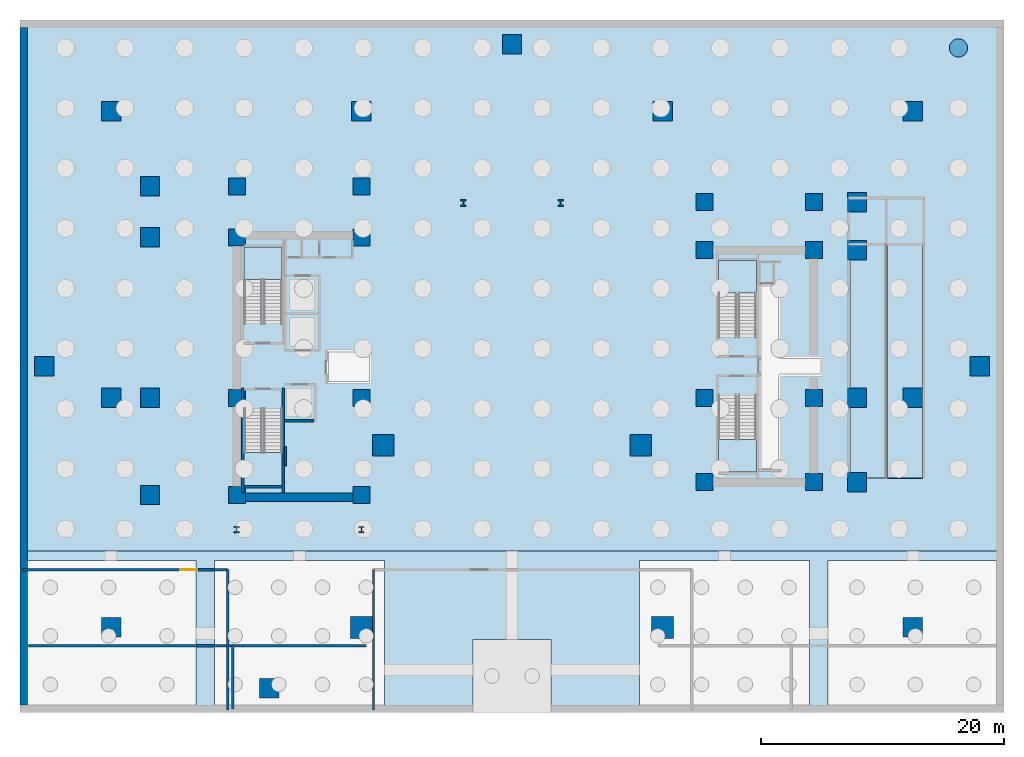
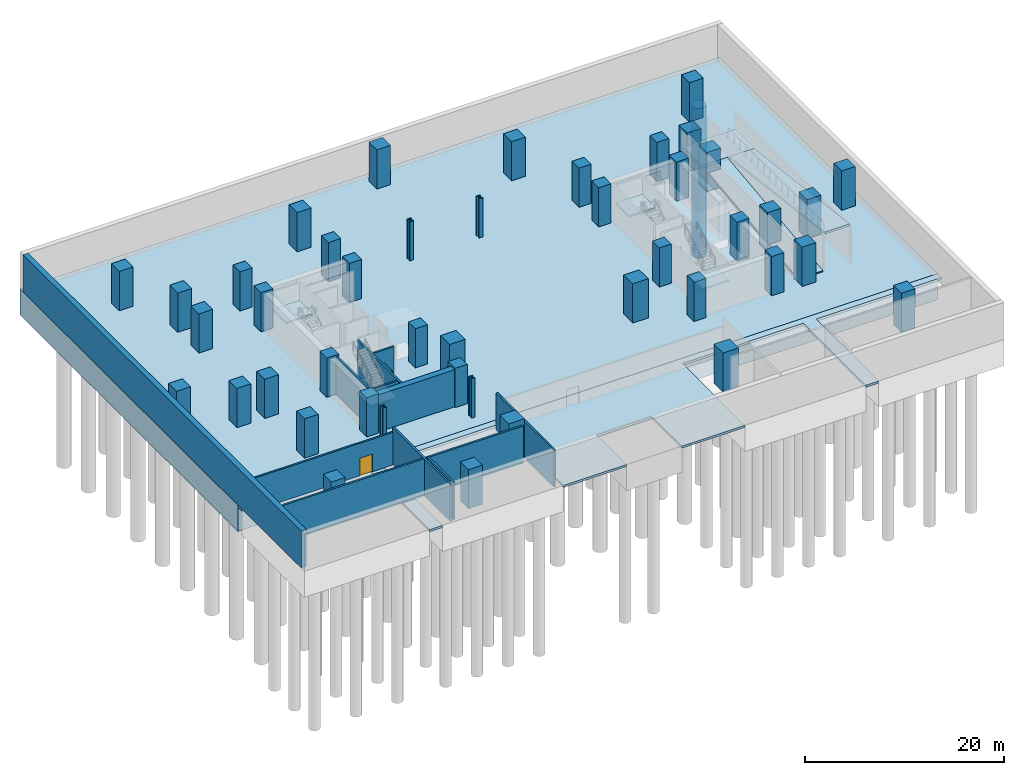
# One storey, part 2 of 10: 44 columns, 12 walls, 9 slabs, 1 door, 1 pile, 1 opening, 4 elements without a shape of their own.
"""IFC4 building model written with IfcOpenShell, lengths in metres."""

import ifcopenshell
import ifcopenshell.guid

model = None  # the IFC model being written
_history = None  # IfcOwnerHistory: only IFC2X3 demands one
_inside = {}  # id of a spatial element -> (the spatial element, [elements in it])
_under = {}  # id of a project, library or spatial element -> (it, [spatial elements below it])
_declared = {}  # id of a project -> (the project, [libraries it declares])
_typed = {}  # id of a type object -> (the type object, [elements of that type])
_made_of = {}  # id of a material, layer set ... -> (it, [elements and type objects made of it])


def new_model(schema):
    """Start an empty IFC model of exactly this schema.

    Asked for "IFC4X3", IfcOpenShell would pick the latest addendum, in which some entities
    have other attributes; the version numbers below select the first issue.
    IFC2X3 requires an IfcOwnerHistory on every rooted entity: one is made here for all.
    """
    global model, _history
    if schema == "IFC4X3":
        model = ifcopenshell.file(schema_version=(4, 3, 0, 0))
    else:
        model = ifcopenshell.file(schema=schema)
    _inside.clear()
    _under.clear()
    _declared.clear()
    _typed.clear()
    _made_of.clear()
    _history = None
    if model.schema == "IFC2X3":
        org = make("IfcOrganization", Name="unknown")
        user = make(
            "IfcPersonAndOrganization",
            ThePerson=make("IfcPerson", FamilyName="unknown"),
            TheOrganization=org,
        )
        app = make(
            "IfcApplication",
            ApplicationDeveloper=org,
            Version="unknown",
            ApplicationFullName="unknown",
            ApplicationIdentifier="unknown",
        )
        _history = make(
            "IfcOwnerHistory",
            OwningUser=user,
            OwningApplication=app,
            ChangeAction="ADDED",
            CreationDate=0,
        )
    return model


def make(cls, **values):
    """One entity of the class cls with the attributes given. An attribute that is None is left unset."""
    return model.create_entity(
        cls, **{name: value for name, value in values.items() if value is not None}
    )


def rooted(cls, **values):
    """An entity with a GlobalId (a new one), such as an element, a storey or a relation."""
    return make(cls, GlobalId=ifcopenshell.guid.new(), OwnerHistory=_history, **values)


def si_unit(unit_type, name, prefix=None):
    """IfcSIUnit, for example si_unit("LENGTHUNIT", "METRE", prefix="MILLI")."""
    return make("IfcSIUnit", UnitType=unit_type, Prefix=prefix, Name=name)


def assignment(units):
    """IfcUnitAssignment: the units of a project."""
    return None if units is None else make("IfcUnitAssignment", Units=units)


def point(xyz):
    """IfcCartesianPoint."""
    return None if xyz is None else make("IfcCartesianPoint", Coordinates=xyz)


def direction(xyz):
    """IfcDirection."""
    return None if xyz is None else make("IfcDirection", DirectionRatios=xyz)


def frame(location, z_axis=None, x_axis=None):
    """IfcAxis2Placement3D, a coordinate frame: its origin and axes. An axis left out is left unset."""
    return make(
        "IfcAxis2Placement3D",
        Location=point(location),
        Axis=direction(z_axis),
        RefDirection=direction(x_axis),
    )


def frame_2d(location, x_axis=None):
    """IfcAxis2Placement2D, a coordinate frame in the plane: its origin and x axis."""
    return make(
        "IfcAxis2Placement2D", Location=point(location), RefDirection=direction(x_axis)
    )


def origin():
    """The frame at (0, 0, 0) with its axes left unset."""
    return frame((0.0, 0.0, 0.0))


def origin_2d():
    """The frame at (0, 0) in the plane with its x axis left unset."""
    return frame_2d((0.0, 0.0))


def place(relative_to, where):
    """IfcLocalPlacement: puts the frame where relative to a parent placement (None: the world)."""
    return make(
        "IfcLocalPlacement", PlacementRelTo=relative_to, RelativePlacement=where
    )


def context(
    kind, dimensions, precision=None, world=None, true_north=None, identifier=None
):
    """IfcGeometricRepresentationContext, for example the 3D "Model" context."""
    return make(
        "IfcGeometricRepresentationContext",
        ContextIdentifier=identifier,
        ContextType=kind,
        CoordinateSpaceDimension=dimensions,
        Precision=precision,
        WorldCoordinateSystem=world,
        TrueNorth=true_north,
    )


def subcontext(parent, identifier, kind, view, scale=None):
    """IfcGeometricRepresentationSubContext, for example "Body" below "Model"."""
    return make(
        "IfcGeometricRepresentationSubContext",
        ContextIdentifier=identifier,
        ContextType=kind,
        ParentContext=parent,
        TargetScale=scale,
        TargetView=view,
    )


def project(units=None, contexts=None):
    """IfcProject with its units and contexts."""
    return rooted(
        "IfcProject",
        Name="project",
        RepresentationContexts=contexts,
        UnitsInContext=assignment(units),
    )


def spatial(cls, under=None, at=None, **own):
    """A site, building, storey or space (cls), placed at a placement, below another one or the project."""
    s = rooted(cls, ObjectPlacement=at, **own)
    if under is not None:
        _under.setdefault(under.id(), (under, []))[1].append(s)
    return s


def polyline(points):
    """IfcPolyline through the points."""
    return make("IfcPolyline", Points=[point(p) for p in points])


def profile(cls, at=None, kind="AREA", **sizes):
    """A parametric profile (cls). Its sizes go by their IFC names, for example OverallWidth=200.0."""
    return make(cls, ProfileType=kind, Position=at, **sizes)


def rectangle(**sizes):
    """IfcRectangleProfileDef."""
    return profile("IfcRectangleProfileDef", **sizes)


def circle(**sizes):
    """IfcCircleProfileDef."""
    return profile("IfcCircleProfileDef", **sizes)


def i_section(**sizes):
    """IfcIShapeProfileDef."""
    return profile("IfcIShapeProfileDef", **sizes)


def outline(outer, holes=None, kind="AREA"):
    """IfcArbitraryClosedProfileDef: a profile drawn as a closed curve; with holes, ...WithVoids."""
    if holes is None:
        return make("IfcArbitraryClosedProfileDef", ProfileType=kind, OuterCurve=outer)
    return make(
        "IfcArbitraryProfileDefWithVoids",
        ProfileType=kind,
        OuterCurve=outer,
        InnerCurves=holes,
    )


def extrude(swept, where, along, depth):
    """IfcExtrudedAreaSolid: the profile swept, set in the frame where, extruded along a direction by depth."""
    return make(
        "IfcExtrudedAreaSolid",
        SweptArea=swept,
        Position=where,
        ExtrudedDirection=direction(along),
        Depth=depth,
    )


def shape(context_of_items, identifier, shape_type, items):
    """IfcShapeRepresentation: the items that make up one representation, for example the "Body"."""
    return make(
        "IfcShapeRepresentation",
        ContextOfItems=context_of_items,
        RepresentationIdentifier=identifier,
        RepresentationType=shape_type,
        Items=items,
    )


def source(mapping_origin, context_of_items, identifier, shape_type, items):
    """IfcRepresentationMap: a shape defined once, which mapped items show again and again."""
    return make(
        "IfcRepresentationMap",
        MappingOrigin=mapping_origin,
        MappedRepresentation=shape(context_of_items, identifier, shape_type, items),
    )


def transform(
    local_origin,
    x_axis=None,
    y_axis=None,
    z_axis=None,
    scale=None,
    scale2=None,
    scale3=None,
    uniform=True,
):
    """IfcCartesianTransformationOperator3D, or its non-uniform kind. x_axis, y_axis, z_axis: its Axis1, 2, 3."""
    if uniform:
        return make(
            "IfcCartesianTransformationOperator3D",
            Axis1=direction(x_axis),
            Axis2=direction(y_axis),
            LocalOrigin=point(local_origin),
            Scale=scale,
            Axis3=direction(z_axis),
        )
    return make(
        "IfcCartesianTransformationOperator3DnonUniform",
        Axis1=direction(x_axis),
        Axis2=direction(y_axis),
        LocalOrigin=point(local_origin),
        Scale=scale,
        Axis3=direction(z_axis),
        Scale2=scale2,
        Scale3=scale3,
    )


def mapped(mapping_source, mapping_target):
    """IfcMappedItem: shows the shape of a source again, moved by a transform."""
    return make(
        "IfcMappedItem", MappingSource=mapping_source, MappingTarget=mapping_target
    )


def material(Name=None, Category=None):
    """IfcMaterial."""
    return make("IfcMaterial", Name=Name, Category=Category)


def layer(
    of_material, thickness, ventilated=None, Name=None, Category=None, Priority=None
):
    """IfcMaterialLayer: one layer of a wall or slab, of a material (None: an air gap)."""
    return make(
        "IfcMaterialLayer",
        Material=of_material,
        LayerThickness=thickness,
        IsVentilated=ventilated,
        Name=Name,
        Category=Category,
        Priority=Priority,
    )


def layer_set(layers, Name=None):
    """IfcMaterialLayerSet."""
    return make("IfcMaterialLayerSet", MaterialLayers=layers, LayerSetName=Name)


def material_profile(
    of_material, cross_section, Name=None, Category=None, Priority=None
):
    """IfcMaterialProfile: a cross section and its material."""
    return make(
        "IfcMaterialProfile",
        Name=Name,
        Material=of_material,
        Profile=cross_section,
        Priority=Priority,
        Category=Category,
    )


def profile_set(profiles, Name=None, composite=None):
    """IfcMaterialProfileSet."""
    return make(
        "IfcMaterialProfileSet",
        Name=Name,
        MaterialProfiles=profiles,
        CompositeProfile=composite,
    )


def made_of(thing, what):
    """Note that an element or type object is made of a material, layer set ...; save() writes the relation."""
    if what is not None:
        _made_of.setdefault(what.id(), (what, []))[1].append(thing)
    return thing


def type_object(cls, material=None, **own):
    """A type object (cls), such as IfcWallType, which elements share."""
    return made_of(rooted(cls, **own), material)


def element(
    cls,
    number,
    at=None,
    inside=None,
    cuts=None,
    type_object=None,
    material=None,
    context=None,
    identifier="Body",
    shape_type=None,
    held_by="IfcProductDefinitionShape",
    body=None,
    shapes=None,
    **own,
):
    """One element of the class cls, such as IfcWall. Its Tag is "e" and its number.

    at: its placement. inside: the storey or other place that contains it. cuts: it is an
    opening in that element (IfcRelVoidsElement). A single representation is given by context,
    identifier, shape_type and body (its items); several are given by shapes. held_by: the class
    of the entity that holds the representations. save() writes the other relations.
    """
    e = rooted(cls, Tag="e%d" % number, ObjectPlacement=at, **own)
    if body is not None:
        shapes = [shape(context, identifier, shape_type, body)]
    if shapes is not None:
        e.Representation = make(held_by, Representations=shapes)
    if inside is not None:
        _inside.setdefault(inside.id(), (inside, []))[1].append(e)
    if cuts is not None:
        rooted(
            "IfcRelVoidsElement", RelatingBuildingElement=cuts, RelatedOpeningElement=e
        )
    if type_object is not None:
        _typed.setdefault(type_object.id(), (type_object, []))[1].append(e)
    return made_of(e, material)


def fill(opening, filler):
    """IfcRelFillsElement: the door or window that sits in an opening."""
    return rooted(
        "IfcRelFillsElement",
        RelatingOpeningElement=opening,
        RelatedBuildingElement=filler,
    )


def aggregate(whole, parts):
    """IfcRelAggregates: a whole, such as a stair, and the parts it consists of."""
    return rooted("IfcRelAggregates", RelatingObject=whole, RelatedObjects=parts)


def save(model, path):
    """Write the relations noted so far, then the file.

    IfcRelAggregates (storeys below a building ...), IfcRelContainedInSpatialStructure (elements
    in a storey), IfcRelDefinesByType, IfcRelAssociatesMaterial and IfcRelDeclares: one each for
    every whole, place, type object, material and project.
    """
    for whole, parts in _under.values():
        aggregate(whole, parts)
    for where, things in _inside.values():
        rooted(
            "IfcRelContainedInSpatialStructure",
            RelatedElements=things,
            RelatingStructure=where,
        )
    for kind, things in _typed.values():
        rooted("IfcRelDefinesByType", RelatedObjects=things, RelatingType=kind)
    for what, things in _made_of.values():
        rooted("IfcRelAssociatesMaterial", RelatedObjects=things, RelatingMaterial=what)
    for by, libraries in _declared.values():
        rooted("IfcRelDeclares", RelatingContext=by, RelatedDefinitions=libraries)
    model.write(path)


model = new_model("IFC4")

# Units and contexts
model_context = context("Model", 3, precision=1e-05, world=origin(), true_north=direction((0.0, 1.0)))
body_context = subcontext(model_context, "Body", "Model", "MODEL_VIEW")
ifc_project = project(units=[si_unit("LENGTHUNIT", "METRE"), si_unit("AREAUNIT", "SQUARE_METRE"), si_unit("VOLUMEUNIT", "CUBIC_METRE"), si_unit("PLANEANGLEUNIT", "RADIAN"), si_unit("MASSUNIT", "GRAM", prefix="KILO")], contexts=[model_context])

# Site, building, storey
site_placement = place(None, origin())
site = spatial("IfcSite", under=ifc_project, at=site_placement, CompositionType="ELEMENT")
building_placement = place(site_placement, origin())
building = spatial("IfcBuilding", under=site, at=building_placement, Name="Valdorenza Pilgrim Sanctuary Tower", CompositionType="ELEMENT")
storey_placement = place(building_placement, frame((0.0, 0.0, -9.60009765625)))
storey = spatial("IfcBuildingStorey", under=building, at=storey_placement, Name="B02", CompositionType="ELEMENT", Elevation=-9.60009765625)

# Pile
ifc_material_1 = material(Name="Concrete C50/60", Category="concrete")
ifc_material_profile_1 = material_profile(ifc_material_1, circle(Radius=0.75, at=origin_2d()), Name="BORED PILE 1500")
ifc_profile_set_1 = profile_set([ifc_material_profile_1], Name="Concrete C50/60")
pile_type = type_object("IfcPileType", Name="PIL-BOR-1500", PredefinedType="BORED", material=ifc_profile_set_1)
shared_shape_1 = source(origin(), body_context, "Body", "SweptSolid", [
    extrude(circle(Radius=0.75, at=origin_2d()), origin(), (0.0, 0.0, 1.0), 18.35009765625),
])
pile_placement = place(storey_placement, frame((36.75, 26.199951171875, -3.0498046875), z_axis=(0.0, 0.0, -1.0), x_axis=(1.0, 0.0, 0.0)))
element("IfcPile", 1, at=pile_placement, inside=storey, type_object=pile_type, Name="Bored Pile P-01 R16-09", PredefinedType="BORED", context=body_context, shape_type="MappedRepresentation", body=[
    mapped(shared_shape_1, transform((0.0, 0.0, 0.0), x_axis=(1.0, 0.0, 0.0), y_axis=(0.0, 1.0, 0.0), z_axis=(0.0, 0.0, 1.0), scale=1.0)),
])

# Columns
ifc_material_2 = material(Name="Concrete C60/75", Category="concrete")
ifc_material_profile_2 = material_profile(ifc_material_2, rectangle(XDim=1.60009765625, YDim=1.60009765625, at=origin_2d()), Name="RC 1600x1600")
ifc_profile_set_2 = profile_set([ifc_material_profile_2], Name="Concrete C60/75")
column_type_1 = type_object("IfcColumnType", Name="COL-POD-1600", PredefinedType="COLUMN", material=ifc_profile_set_2)
shared_shape_2 = source(origin(), body_context, "Body", "SweptSolid", [
    extrude(rectangle(XDim=1.60009765625, YDim=1.60009765625, at=origin_2d()), origin(), (0.0, 0.0, 1.0), 4.800048828125),
])
for number, where, z_axis, x_axis, name in (
    (2, (-29.800048828125, -10.60009765625, 0.0), (0.0, 0.0, 1.0), (1.0, 0.0, 0.0), "B02 Perimeter Column WA-W-S1"),
    (3, (-29.800048828125, -2.60009765625, 0.0), (0.0, 0.0, 1.0), (1.0, 0.0, 0.0), "B02 Perimeter Column WA-W-M0"),
    (4, (-29.800048828125, 10.60009765625, 0.0), (0.0, 0.0, 1.0), (1.0, 0.0, 0.0), "B02 Perimeter Column WA-W-N1"),
    (5, (-29.800048828125, 14.800048828125, 0.0), (0.0, 0.0, 1.0), (1.0, 0.0, 0.0), "B02 Perimeter Column WA-W-N2"),
    (6, (28.39990234375, -9.550048828125, 0.0), (0.0, 0.0, 1.0), (1.0, 0.0, 0.0), "B02 Perimeter Column WB-E-S1"),
    (7, (28.39990234375, -2.60009765625, 0.0), (0.0, 0.0, 1.0), (1.0, 0.0, 0.0), "B02 Perimeter Column WB-E-M0"),
    (8, (28.39990234375, 9.550048828125, 0.0), (0.0, 0.0, 1.0), (1.0, 0.0, 0.0), "B02 Perimeter Column WB-E-N1"),
    (9, (28.39990234375, 13.5, 0.0), (0.0, 0.0, 1.0), (1.0, 0.0, 0.0), "B02 Perimeter Column WB-E-N2"),
    (10, (-33.0, -21.5, 0.0), (0.0, 0.0, 1.0), (1.0, 0.0, 0.0), "B02 Perimeter Column POD-SW"),
    (11, (-33.0, -2.60009765625, 0.0), (0.0, 0.0, 1.0), (1.0, 0.0, 0.0), "B02 Perimeter Column POD-MW"),
    (12, (-33.0, 21.0, 0.0), (0.0, 0.0, 1.0), (1.0, 0.0, 0.0), "B02 Perimeter Column POD-NW"),
    (13, (-12.39990234375, 21.0, 0.0), (0.0, 0.0, 1.0), (1.0, 0.0, 0.0), "B02 Perimeter Column POD-NCW"),
    (14, (12.39990234375, 21.0, 0.0), (0.0, 0.0, 1.0), (1.0, 0.0, 0.0), "B02 Perimeter Column POD-NCE"),
    (15, (33.0, 21.0, 0.0), (0.0, 0.0, 1.0), (1.0, 0.0, 0.0), "B02 Perimeter Column POD-NE"),
    (16, (33.0, -2.60009765625, 0.0), (0.0, 0.0, 1.0), (1.0, 0.0, 0.0), "B02 Perimeter Column POD-ME"),
    (17, (33.0, -21.5, 0.0), (0.0, 0.0, 1.0), (1.0, 0.0, 0.0), "B02 Perimeter Column POD-SE"),
    (18, (-38.5, 0.0, 0.0), (0.0, 0.0, 1.0), (1.0, 0.0, 0.0), "B02 Column BSM-W-OUT"),
    (19, (38.5, 0.0, 0.0), (0.0, 0.0, 1.0), (1.0, 0.0, 0.0), "B02 Column BSM-E-OUT"),
    (20, (0.0, 26.5, 0.0), (0.0, 0.0, 1.0), (1.0, 0.0, 0.0), "B02 Column BSM-N-OUT"),
    (21, (-20.0, -26.5, 0.0), (0.0, 0.0, 1.0), (1.0, 0.0, 0.0), "B02 Column BSM-S-OUT"),
):
    element("IfcColumn", number, at=place(storey_placement, frame(where, z_axis=z_axis, x_axis=x_axis)), inside=storey, type_object=column_type_1, Name=name, PredefinedType="COLUMN", context=body_context, shape_type="MappedRepresentation", body=[
        mapped(shared_shape_2, transform((0.0, 0.0, 0.0), x_axis=(1.0, 0.0, 0.0), y_axis=(0.0, 1.0, 0.0), z_axis=(0.0, 0.0, 1.0), scale=1.0)),
    ])
ifc_material_profile_3 = material_profile(ifc_material_2, rectangle(XDim=1.39990234375, YDim=1.39990234375, at=origin_2d()), Name="RC 1400x1400")
ifc_profile_set_3 = profile_set([ifc_material_profile_3], Name="Concrete C60/75")
column_type_2 = type_object("IfcColumnType", Name="COL-Z1-1400", PredefinedType="COLUMN", material=ifc_profile_set_3)
shared_shape_3 = source(origin(), body_context, "Body", "SweptSolid", [
    extrude(rectangle(XDim=1.39990234375, YDim=1.39990234375, at=origin_2d()), origin(), (0.0, 0.0, 1.0), 4.800048828125),
])
for number, where, z_axis, x_axis, name in (
    (22, (-22.64990234375, -10.60009765625, 0.0), (0.0, 0.0, 1.0), (1.0, 0.0, 0.0), "B02 Column CA-W-S1"),
    (23, (-12.39990234375, -10.60009765625, 0.0), (0.0, 0.0, 1.0), (1.0, 0.0, 0.0), "B02 Column CA-E-S1"),
    (24, (-22.64990234375, -2.60009765625, 0.0), (0.0, 0.0, 1.0), (1.0, 0.0, 0.0), "B02 Column CA-W-M0"),
    (25, (-12.39990234375, -2.60009765625, 0.0), (0.0, 0.0, 1.0), (1.0, 0.0, 0.0), "B02 Column CA-E-M0"),
    (26, (-22.64990234375, 10.60009765625, 0.0), (0.0, 0.0, 1.0), (1.0, 0.0, 0.0), "B02 Column CA-W-N1"),
    (27, (-12.39990234375, 10.60009765625, 0.0), (0.0, 0.0, 1.0), (1.0, 0.0, 0.0), "B02 Column CA-E-N1"),
    (28, (-22.64990234375, 14.800048828125, 0.0), (0.0, 0.0, 1.0), (1.0, 0.0, 0.0), "B02 Column CA-W-N2"),
    (29, (-12.39990234375, 14.800048828125, 0.0), (0.0, 0.0, 1.0), (1.0, 0.0, 0.0), "B02 Column CA-E-N2"),
    (30, (15.85009765625, -9.550048828125, 0.0), (0.0, 0.0, 1.0), (1.0, 0.0, 0.0), "B02 Column CB-W-S1"),
    (31, (24.85009765625, -9.550048828125, 0.0), (0.0, 0.0, 1.0), (1.0, 0.0, 0.0), "B02 Column CB-E-S1"),
    (32, (15.85009765625, -2.60009765625, 0.0), (0.0, 0.0, 1.0), (1.0, 0.0, 0.0), "B02 Column CB-W-M0"),
    (33, (24.85009765625, -2.60009765625, 0.0), (0.0, 0.0, 1.0), (1.0, 0.0, 0.0), "B02 Column CB-E-M0"),
    (34, (15.85009765625, 9.550048828125, 0.0), (0.0, 0.0, 1.0), (1.0, 0.0, 0.0), "B02 Column CB-W-N1"),
    (35, (24.85009765625, 9.550048828125, 0.0), (0.0, 0.0, 1.0), (1.0, 0.0, 0.0), "B02 Column CB-E-N1"),
    (36, (15.85009765625, 13.5, 0.0), (0.0, 0.0, 1.0), (1.0, 0.0, 0.0), "B02 Column CB-W-N2"),
    (37, (24.85009765625, 13.5, 0.0), (0.0, 0.0, 1.0), (1.0, 0.0, 0.0), "B02 Column CB-E-N2"),
):
    element("IfcColumn", number, at=place(storey_placement, frame(where, z_axis=z_axis, x_axis=x_axis)), inside=storey, type_object=column_type_2, Name=name, PredefinedType="COLUMN", context=body_context, shape_type="MappedRepresentation", body=[
        mapped(shared_shape_3, transform((0.0, 0.0, 0.0), x_axis=(1.0, 0.0, 0.0), y_axis=(0.0, 1.0, 0.0), z_axis=(0.0, 0.0, 1.0), scale=1.0)),
    ])
ifc_material_3 = material(Name="Steel ASTM A992 Grade 50", Category="steel")
ifc_material_profile_4 = material_profile(ifc_material_3, i_section(OverallWidth=0.44189453125, OverallDepth=0.531005859375, WebThickness=0.06591796875, FlangeThickness=0.105712890625, at=origin_2d()), Name="W14X605")
ifc_profile_set_4 = profile_set([ifc_material_profile_4], Name="Steel ASTM A992 Grade 50")
column_type_3 = type_object("IfcColumnType", Name="COL-STL-W605", PredefinedType="COLUMN", material=ifc_profile_set_4)
shared_shape_4 = source(origin(), body_context, "Body", "SweptSolid", [
    extrude(i_section(OverallWidth=0.44189453125, OverallDepth=0.531005859375, WebThickness=0.06591796875, FlangeThickness=0.105712890625, at=origin_2d()), origin(), (0.0, 0.0, 1.0), 4.800048828125),
])
for number, where, z_axis, x_axis, name in (
    (38, (-22.64990234375, -13.449951171875, 0.0), (0.0, 0.0, 1.0), (1.0, 0.0, 0.0), "B02 Column WA-S-W"),
    (39, (-12.39990234375, -13.449951171875, 0.0), (0.0, 0.0, 1.0), (1.0, 0.0, 0.0), "B02 Column WA-S-E"),
):
    element("IfcColumn", number, at=place(storey_placement, frame(where, z_axis=z_axis, x_axis=x_axis)), inside=storey, type_object=column_type_3, Name=name, PredefinedType="COLUMN", context=body_context, shape_type="MappedRepresentation", body=[
        mapped(shared_shape_4, transform((0.0, 0.0, 0.0), x_axis=(1.0, 0.0, 0.0), y_axis=(0.0, 1.0, 0.0), z_axis=(0.0, 0.0, 1.0), scale=1.0)),
    ])
ifc_material_profile_5 = material_profile(ifc_material_2, rectangle(XDim=1.800048828125, YDim=1.800048828125, at=origin_2d()), Name="RC 1800x1800")
ifc_profile_set_5 = profile_set([ifc_material_profile_5], Name="Concrete C60/75")
column_type_4 = type_object("IfcColumnType", Name="COL-ARCH-1800", PredefinedType="COLUMN", material=ifc_profile_set_5)
shared_shape_5 = source(origin(), body_context, "Body", "SweptSolid", [
    extrude(rectangle(XDim=1.800048828125, YDim=1.800048828125, at=origin_2d()), origin(), (0.0, 0.0, 1.0), 4.800048828125),
])
for number, where, z_axis, x_axis, name in (
    (40, (-12.39990234375, -21.5, 0.0), (0.0, 0.0, 1.0), (1.0, 0.0, 0.0), "B02 Perimeter Column ARCH-PIER-SW"),
    (41, (-10.60009765625, -6.5, 0.0), (0.0, 0.0, 1.0), (1.0, 0.0, 0.0), "B02 Perimeter Column ARCH-PIER-NW"),
    (42, (12.39990234375, -21.5, 0.0), (0.0, 0.0, 1.0), (1.0, 0.0, 0.0), "B02 Perimeter Column ARCH-PIER-SE"),
    (43, (10.60009765625, -6.5, 0.0), (0.0, 0.0, 1.0), (1.0, 0.0, 0.0), "B02 Perimeter Column ARCH-PIER-NE"),
):
    element("IfcColumn", number, at=place(storey_placement, frame(where, z_axis=z_axis, x_axis=x_axis)), inside=storey, type_object=column_type_4, Name=name, PredefinedType="COLUMN", context=body_context, shape_type="MappedRepresentation", body=[
        mapped(shared_shape_5, transform((0.0, 0.0, 0.0), x_axis=(1.0, 0.0, 0.0), y_axis=(0.0, 1.0, 0.0), z_axis=(0.0, 0.0, 1.0), scale=1.0)),
    ])
ifc_material_profile_6 = material_profile(ifc_material_3, i_section(OverallWidth=0.4541015625, OverallDepth=0.569091796875, WebThickness=0.077880859375, FlangeThickness=0.124755859375, at=origin_2d()), Name="W14X730")
ifc_profile_set_6 = profile_set([ifc_material_profile_6], Name="Steel ASTM A992 Grade 50")
column_type_5 = type_object("IfcColumnType", Name="COL-STL-W730", PredefinedType="COLUMN", material=ifc_profile_set_6)
shared_shape_6 = source(origin(), body_context, "Body", "SweptSolid", [
    extrude(i_section(OverallWidth=0.4541015625, OverallDepth=0.569091796875, WebThickness=0.077880859375, FlangeThickness=0.124755859375, at=origin_2d()), origin(), (0.0, 0.0, 1.0), 4.800048828125),
])
for number, where, z_axis, x_axis, name in (
    (44, (-4.0, 13.449951171875, 0.0), (0.0, 0.0, 1.0), (1.0, 0.0, 0.0), "B02 Column BSM-C1"),
    (45, (4.0, 13.449951171875, 0.0), (0.0, 0.0, 1.0), (1.0, 0.0, 0.0), "B02 Column BSM-C2"),
):
    element("IfcColumn", number, at=place(storey_placement, frame(where, z_axis=z_axis, x_axis=x_axis)), inside=storey, type_object=column_type_5, Name=name, PredefinedType="COLUMN", context=body_context, shape_type="MappedRepresentation", body=[
        mapped(shared_shape_6, transform((0.0, 0.0, 0.0), x_axis=(1.0, 0.0, 0.0), y_axis=(0.0, 1.0, 0.0), z_axis=(0.0, 0.0, 1.0), scale=1.0)),
    ])

# Slabs
ifc_layer_1 = layer(ifc_material_1, 0.260009765625, Name="Concrete C50/60")
ifc_layer_set_1 = layer_set([ifc_layer_1], Name="Concrete C50/60")
slab_type_1 = type_object("IfcSlabType", Name="SLAB-BSM-260", PredefinedType="FLOOR", material=ifc_layer_set_1)
slab_1_placement = place(storey_placement, frame((0.0, 0.0, -0.260009765625)))
element("IfcSlab", 46, at=slab_1_placement, inside=storey, type_object=slab_type_1, Name="B02 South Infill Structural Slab 1", PredefinedType="FLOOR", context=body_context, shape_type="SweptSolid", body=[
    extrude(outline(polyline([(-40.5, -15.199951171875), (40.5, -15.199951171875), (40.5, -16.0), (26.0, -16.0), (26.0, -28.5), (24.5, -28.5), (24.5, -16.0), (10.5, -16.0), (10.5, -28.5), (3.199951171875, -28.5), (3.199951171875, -22.5), (-3.199951171875, -22.5), (-3.199951171875, -28.5), (-10.5, -28.5), (-10.5, -16.0), (-24.5, -16.0), (-24.5, -28.5), (-26.0, -28.5), (-26.0, -16.0), (-40.5, -16.0), (-40.5, -15.199951171875)])), origin(), (0.0, 0.0, 1.0), 0.260009765625),
])
ifc_layer_2 = layer(ifc_material_1, 3.199951171875, Name="Concrete C50/60")
ifc_layer_set_2 = layer_set([ifc_layer_2], Name="Concrete C50/60")
slab_type_2 = type_object("IfcSlabType", Name="SLAB-RAF-3200", PredefinedType="BASESLAB", material=ifc_layer_set_2)
slab_2_placement = place(storey_placement, frame((0.0, 0.0, -3.199951171875)))
element("IfcSlab", 47, at=slab_2_placement, inside=storey, type_object=slab_type_2, Name="Piled Raft Foundation RF-01", PredefinedType="BASESLAB", context=body_context, shape_type="SweptSolid", body=[
    extrude(outline(polyline([(-40.5, -15.199951171875), (40.5, -15.199951171875), (40.5, 28.5), (-40.5, 28.5), (-40.5, -15.199951171875)])), origin(), (0.0, 0.0, 1.0), 3.199951171875),
])

# Stair, slab
ifc_material_4 = material(Name="Concrete C40/50", Category="concrete")
stair_type = type_object("IfcStairType", Name="STR-DOG-CORE", PredefinedType="HALF_TURN_STAIR", material=ifc_material_4)
stair_1_placement = place(storey_placement, origin())
stair_1 = element("IfcStair", 48, at=stair_1_placement, inside=storey, type_object=stair_type, Name="B02 ST-A1", PredefinedType="HALF_TURN_STAIR")
ifc_layer_3 = layer(ifc_material_4, 0.199951171875, Name="Concrete C40/50")
ifc_layer_set_3 = layer_set([ifc_layer_3], Name="Concrete C40/50")
slab_type_3 = type_object("IfcSlabType", Name="SLAB-STL-200", PredefinedType="LANDING", material=ifc_layer_set_3)
slab_3_placement = place(storey_placement, frame((0.0, 0.0, 2.2001953125)))
slab_3 = element("IfcSlab", 49, at=slab_3_placement, type_object=slab_type_3, Name="ST-A1 landing 1", PredefinedType="LANDING", context=body_context, shape_type="SweptSolid", body=[
    extrude(outline(polyline([(-18.93994140625, 7.1201171875), (-18.93994140625, 9.800048828125), (-22.050048828125, 9.800048828125), (-22.050048828125, 7.1201171875), (-18.93994140625, 7.1201171875)])), origin(), (0.0, 0.0, 1.0), 0.199951171875),
])
aggregate(stair_1, [slab_3])

stair_2_placement = place(storey_placement, origin())
stair_2 = element("IfcStair", 50, at=stair_2_placement, inside=storey, type_object=stair_type, Name="B02 ST-A2", PredefinedType="HALF_TURN_STAIR")
slab_4_placement = place(storey_placement, frame((0.0, 0.0, 2.2001953125)))
slab_4 = element("IfcSlab", 51, at=slab_4_placement, type_object=slab_type_3, Name="ST-A2 landing 1", PredefinedType="LANDING", context=body_context, shape_type="SweptSolid", body=[
    extrude(outline(polyline([(-22.050048828125, -7.1201171875), (-22.050048828125, -9.800048828125), (-18.93994140625, -9.800048828125), (-18.93994140625, -7.1201171875), (-22.050048828125, -7.1201171875)])), origin(), (0.0, 0.0, 1.0), 0.199951171875),
])
aggregate(stair_2, [slab_4])

stair_3_placement = place(storey_placement, origin())
stair_3 = element("IfcStair", 52, at=stair_3_placement, inside=storey, type_object=stair_type, Name="B02 ST-B1", PredefinedType="HALF_TURN_STAIR")
slab_5_placement = place(storey_placement, frame((0.0, 0.0, 2.2001953125)))
slab_5 = element("IfcSlab", 53, at=slab_5_placement, type_object=slab_type_3, Name="ST-B1 landing 1", PredefinedType="LANDING", context=body_context, shape_type="SweptSolid", body=[
    extrude(outline(polyline([(20.110107421875, 6.02001953125), (20.110107421875, 8.699951171875), (17.0, 8.699951171875), (17.0, 6.02001953125), (20.110107421875, 6.02001953125)])), origin(), (0.0, 0.0, 1.0), 0.199951171875),
])
aggregate(stair_3, [slab_5])

stair_4_placement = place(storey_placement, origin())
stair_4 = element("IfcStair", 54, at=stair_4_placement, inside=storey, type_object=stair_type, Name="B02 ST-B2", PredefinedType="HALF_TURN_STAIR")
slab_6_placement = place(storey_placement, frame((0.0, 0.0, 2.2001953125)))
slab_6 = element("IfcSlab", 55, at=slab_6_placement, type_object=slab_type_3, Name="ST-B2 landing 1", PredefinedType="LANDING", context=body_context, shape_type="SweptSolid", body=[
    extrude(outline(polyline([(17.0, -6.02001953125), (17.0, -8.699951171875), (20.110107421875, -8.699951171875), (20.110107421875, -6.02001953125), (17.0, -6.02001953125)])), origin(), (0.0, 0.0, 1.0), 0.199951171875),
])
aggregate(stair_4, [slab_6])

# Slabs
ifc_layer_4 = layer(ifc_material_4, 0.25, Name="Concrete C40/50")
ifc_layer_set_4 = layer_set([ifc_layer_4], Name="Concrete C40/50")
slab_type_4 = type_object("IfcSlabType", Name="SLAB-VRMP-250", PredefinedType="USERDEFINED", material=ifc_layer_set_4)
slab_7_placement = place(storey_placement, frame((27.81005859375, -9.199951171875, 0.170166015625), z_axis=(0.0, -0.115369568471, 0.993322637752), x_axis=(1.0, 0.0, 0.0)))
element("IfcSlab", 56, at=slab_7_placement, inside=storey, type_object=slab_type_4, Name="Car Park Vehicle Ramp Slab B02-F1", ObjectType="VEHICLE_RAMP", PredefinedType="USERDEFINED", context=body_context, shape_type="SweptSolid", body=[
    extrude(outline(polyline([(0.0, 0.0), (2.8798828125, 0.0), (2.8798828125, 19.329018027137092), (0.0, 19.329018027137092), (0.0, 0.0)])), origin(), (0.0, 0.0, -1.0), 0.25),
])
slab_8_placement = place(storey_placement, frame((0.0, 0.0, 2.0400390625)))
element("IfcSlab", 57, at=slab_8_placement, inside=storey, type_object=slab_type_4, Name="Car Park Vehicle Ramp Turn Slab B02", ObjectType="VEHICLE_RAMP", PredefinedType="USERDEFINED", context=body_context, shape_type="SweptSolid", body=[
    extrude(outline(polyline([(27.75, 10.0), (33.85009765625, 10.0), (33.85009765625, 13.85009765625), (27.75, 13.85009765625), (27.75, 10.0)])), origin(), (0.0, 0.0, 1.0), 0.360107421875),
])
slab_9_placement = place(storey_placement, frame((30.909912109375, -9.199951171875, 4.800048828125), z_axis=(0.0, 0.124030075817, 0.992278459049), x_axis=(1.0, 0.0, 0.0)))
element("IfcSlab", 58, at=slab_9_placement, inside=storey, type_object=slab_type_4, Name="Car Park Vehicle Ramp Slab B02-F2", ObjectType="VEHICLE_RAMP", PredefinedType="USERDEFINED", context=body_context, shape_type="SweptSolid", body=[
    extrude(outline(polyline([(0.0, 0.0), (2.880126953125, 0.0), (2.880126953125, 19.349358032294532), (0.0, 19.349358032294532), (0.0, 0.0)])), origin(), (0.0, 0.0, -1.0), 0.25),
])

# Walls
ifc_material_5 = material(Name="Acoustic twin-stud gypsum partition", Category="gypsum")
ifc_layer_5 = layer(ifc_material_5, 0.159912109375, Name="Acoustic twin-stud gypsum partition")
ifc_layer_set_5 = layer_set([ifc_layer_5], Name="Acoustic twin-stud gypsum partition")
wall_type_1 = type_object("IfcWallType", Name="WAL-COR-160", PredefinedType="PARTITIONING", material=ifc_layer_set_5)
wall_1_placement = place(storey_placement, frame((-18.64990234375, -8.179931640625, 0.0), z_axis=(0.0, 0.0, 1.0), x_axis=(0.0, 1.0, 0.0)))
element("IfcWall", 59, at=wall_1_placement, inside=storey, type_object=wall_type_1, Name="B02 Core A South Lift Hall West Wall", PredefinedType="PARTITIONING", context=body_context, shape_type="SweptSolid", body=[
    extrude(rectangle(XDim=1.559814453125, YDim=0.159912109375, at=frame_2d((0.77978515625, 0.0))), origin(), (0.0, 0.0, 1.0), 4.5400390625),
])
ifc_layer_6 = layer(ifc_material_2, 0.699951171875, Name="Concrete C60/75")
ifc_layer_set_6 = layer_set([ifc_layer_6], Name="Concrete C60/75")
wall_type_2 = type_object("IfcWallType", Name="WAL-COR-700", PredefinedType="SHEAR", material=ifc_layer_set_6)
wall_2_placement = place(storey_placement, frame((-22.64990234375, -10.800048828125, 0.0), z_axis=(0.0, 0.0, 1.0), x_axis=(1.0, 0.0, 0.0)))
element("IfcWall", 60, at=wall_2_placement, inside=storey, type_object=wall_type_2, Name="B02 Split Core A Shear Wall S", PredefinedType="SHEAR", context=body_context, shape_type="SweptSolid", body=[
    extrude(rectangle(XDim=10.25, YDim=0.699951171875, at=frame_2d((5.125, 0.0))), origin(), (0.0, 0.0, 1.0), 4.5400390625),
])

# Wall, opening, door
ifc_material_6 = material(Name="Gypsum shaftwall partition", Category="gypsum")
ifc_layer_7 = layer(ifc_material_6, 0.199951171875, Name="Gypsum shaftwall partition")
ifc_layer_set_7 = layer_set([ifc_layer_7], Name="Gypsum shaftwall partition")
wall_type_3 = type_object("IfcWallType", Name="WAL-FFL-200", PredefinedType="PARTITIONING", material=ifc_layer_set_7)
wall_3_placement = place(storey_placement, frame((-40.300048828125, -16.75, 0.0), z_axis=(0.0, 0.0, 1.0), x_axis=(1.0, 0.0, 0.0)))
wall_3 = element("IfcWall", 61, at=wall_3_placement, inside=storey, type_object=wall_type_3, Name="B02 Basement Plant North Wall", PredefinedType="PARTITIONING", context=body_context, shape_type="SweptSolid", body=[
    extrude(rectangle(XDim=16.900146484375, YDim=0.199951171875, at=frame_2d((8.4501953125, 0.0))), origin(), (0.0, 0.0, 1.0), 3.97607421875),
])
opening_placement = place(wall_3_placement, frame((13.0, 0.0, 0.0)))
opening = element("IfcOpeningElement", 62, at=opening_placement, cuts=wall_3, Name="Opening DR-PL1", PredefinedType="OPENING", context=body_context, shape_type="SweptSolid", body=[
    extrude(rectangle(XDim=1.39990234375, YDim=2.14990234375, at=frame_2d((0.699951171875, 1.074951171875))), frame((0.0, 0.11474609375, 0.0), z_axis=(0.0, -1.0, 0.0), x_axis=(1.0, 0.0, 0.0)), (0.0, 0.0, 1.0), 0.229736328125),
])
ifc_material_7 = material(Name="Painted galvanized steel", Category="steel")
door_type = type_object("IfcDoorType", Name="DR-PLT-1400", OperationType="NOTDEFINED", PredefinedType="DOOR", material=ifc_material_7)
door_placement = place(opening_placement, origin())
door = element("IfcDoor", 63, at=door_placement, inside=storey, type_object=door_type, Name="B02 Basement Plant Double Fire Door", OperationType="DOUBLE_DOOR_SINGLE_SWING", OverallHeight=2.14990234375, OverallWidth=1.39990234375, PredefinedType="DOOR", context=body_context, shape_type="SweptSolid", body=[
    extrude(rectangle(XDim=1.39990234375, YDim=2.14990234375, at=frame_2d((0.699951171875, 1.074951171875))), frame((0.0, 0.02490234375, 0.0), z_axis=(0.0, -1.0, 0.0), x_axis=(1.0, 0.0, 0.0)), (0.0, 0.0, 1.0), 0.050048828125),
])
fill(opening, door)

# Walls
for number, where, z_axis, x_axis, name in (
    (64, (-23.39990234375, -28.300048828125, 0.0), (0.0, 0.0, 1.0), (0.0, 1.0, 0.0), "B02 Basement Plant East Wall"),
    (65, (-11.39990234375, -28.300048828125, 0.0), (0.0, 0.0, 1.0), (0.0, 1.0, 0.0), "B02 South-Central Plant West Wall"),
):
    element("IfcWall", number, at=place(storey_placement, frame(where, z_axis=z_axis, x_axis=x_axis)), inside=storey, type_object=wall_type_3, Name=name, PredefinedType="PARTITIONING", context=body_context, shape_type="SweptSolid", body=[
        extrude(rectangle(XDim=11.550048828125, YDim=0.199951171875, at=frame_2d((5.77490234375, 0.0))), origin(), (0.0, 0.0, 1.0), 4.5400390625),
    ])
ifc_layer_8 = layer(ifc_material_1, 0.60009765625, Name="Concrete C50/60")
ifc_layer_set_8 = layer_set([ifc_layer_8], Name="Concrete C50/60")
wall_type_4 = type_object("IfcWallType", Name="WAL-RET-600", PredefinedType="SOLIDWALL", material=ifc_layer_set_8)
wall_4_placement = place(storey_placement, frame((-40.199951171875, -27.89990234375, 0.0), z_axis=(0.0, 0.0, 1.0), x_axis=(0.0, 1.0, 0.0)))
element("IfcWall", 66, at=wall_4_placement, inside=storey, type_object=wall_type_4, Name="B02 Basement Retaining Wall W", PredefinedType="SOLIDWALL", context=body_context, shape_type="SweptSolid", body=[
    extrude(rectangle(XDim=55.7998046875, YDim=0.60009765625, at=frame_2d((27.89990234375, 0.0))), origin(), (0.0, 0.0, 1.0), 4.5400390625),
])
ifc_material_8 = material(Name="Autoclaved aerated concrete blockwork", Category="masonry")
ifc_layer_9 = layer(ifc_material_8, 0.199951171875, Name="Autoclaved aerated concrete blockwork")
ifc_layer_set_9 = layer_set([ifc_layer_9], Name="Autoclaved aerated concrete blockwork")
wall_type_5 = type_object("IfcWallType", Name="WAL-SHF-200", PredefinedType="MOVABLE", material=ifc_layer_set_9)
wall_5_placement = place(storey_placement, frame((-18.719970703125, -4.5, 0.0), z_axis=(0.0, 0.0, 1.0), x_axis=(1.0, 0.0, 0.0)))
element("IfcWall", 67, at=wall_5_placement, inside=storey, type_object=wall_type_5, Name="B02 Lift FFL-02 Hoistway Wall South", PredefinedType="MOVABLE", context=body_context, shape_type="SweptSolid", body=[
    extrude(rectangle(XDim=2.419921875, YDim=0.199951171875, at=frame_2d((1.2099609375, 0.0))), origin(), (0.0, 0.0, 1.0), 4.5400390625),
])
ifc_layer_10 = layer(ifc_material_4, 0.219970703125, Name="Concrete C40/50")
ifc_layer_set_10 = layer_set([ifc_layer_10], Name="Concrete C40/50")
wall_type_6 = type_object("IfcWallType", Name="WAL-STR-SHF-220", PredefinedType="SHEAR", material=ifc_layer_set_10)
for number, where, z_axis, x_axis, name in (
    (68, (-22.159912109375, -10.449951171875, 0.0), (0.0, 0.0, 1.0), (0.0, 1.0, 0.0), "B02 ST-A2 Structural Stairwell Wall W"),
    (69, (-18.830078125, -10.449951171875, 0.0), (0.0, 0.0, 1.0), (0.0, 1.0, 0.0), "B02 ST-A2 Structural Stairwell Wall E"),
):
    element("IfcWall", number, at=place(storey_placement, frame(where, z_axis=z_axis, x_axis=x_axis)), inside=storey, type_object=wall_type_6, Name=name, PredefinedType="SHEAR", context=body_context, shape_type="SweptSolid", body=[
        extrude(rectangle(XDim=8.669921875, YDim=0.219970703125, at=frame_2d((4.3349609375, 0.0))), origin(), (0.0, 0.0, 1.0), 4.5400390625),
    ])
wall_6_placement = place(storey_placement, frame((-22.050048828125, -9.909912109375, 0.0), z_axis=(0.0, 0.0, 1.0), x_axis=(1.0, 0.0, 0.0)))
element("IfcWall", 70, at=wall_6_placement, inside=storey, type_object=wall_type_6, Name="B02 ST-A2 Structural Stairwell Wall S", PredefinedType="SHEAR", context=body_context, shape_type="SweptSolid", body=[
    extrude(rectangle(XDim=3.110107421875, YDim=0.219970703125, at=frame_2d((1.55517578125, 0.0))), origin(), (0.0, 0.0, 1.0), 4.5400390625),
])
wall_7_placement = place(storey_placement, frame((-39.800048828125, -23.0, 0.0), z_axis=(0.0, 0.0, 1.0), x_axis=(1.0, 0.0, 0.0)))
element("IfcWall", 71, at=wall_7_placement, inside=storey, type_object=wall_type_6, Name="B02 Forecourt Sidewalk Bearing Wall SW", PredefinedType="SHEAR", context=body_context, shape_type="SweptSolid", body=[
    extrude(rectangle(XDim=27.800048828125, YDim=0.219970703125, at=frame_2d((13.89990234375, 0.0))), origin(), (0.0, 0.0, 1.0), 4.5400390625),
])
wall_8_placement = place(storey_placement, frame((-23.0, -28.199951171875, 0.0), z_axis=(0.0, 0.0, 1.0), x_axis=(0.0, 1.0, 0.0)))
element("IfcWall", 72, at=wall_8_placement, inside=storey, type_object=wall_type_6, Name="B02 Forecourt Cross Bearing Wall SWX", PredefinedType="SHEAR", context=body_context, shape_type="SweptSolid", body=[
    extrude(rectangle(XDim=5.199951171875, YDim=0.219970703125, at=frame_2d((2.60009765625, 0.0))), origin(), (0.0, 0.0, 1.0), 4.5400390625),
])

save(model, "model.ifc")
